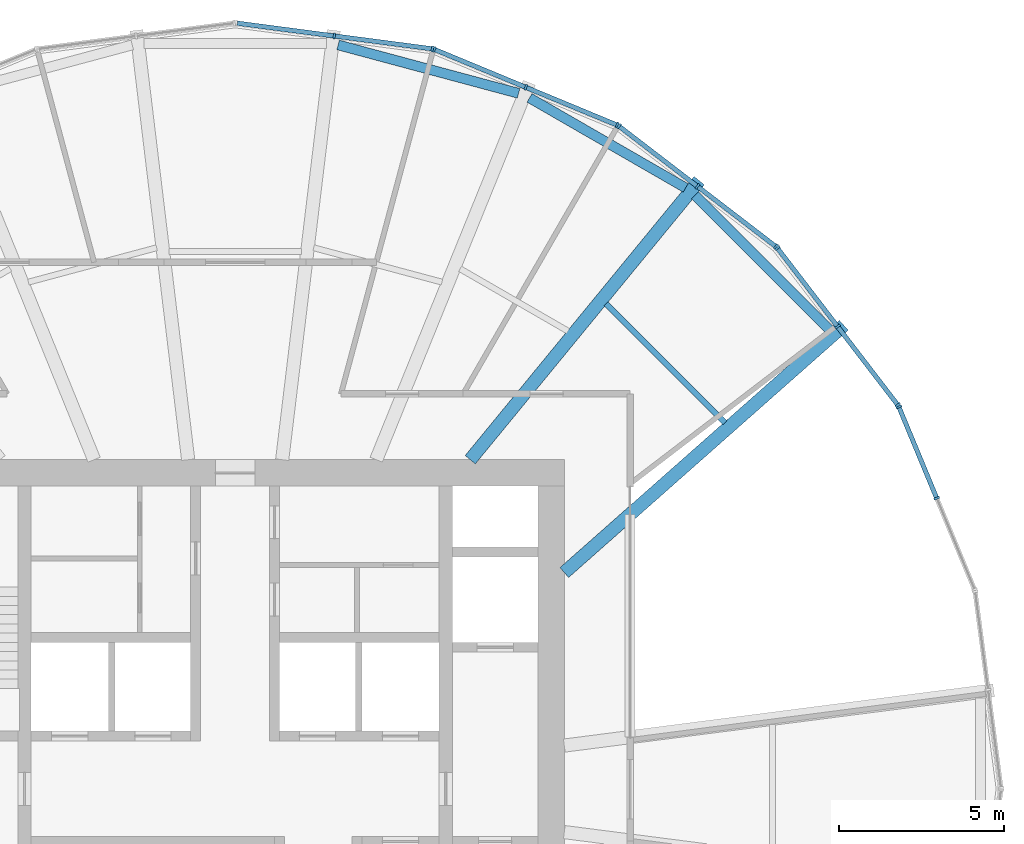
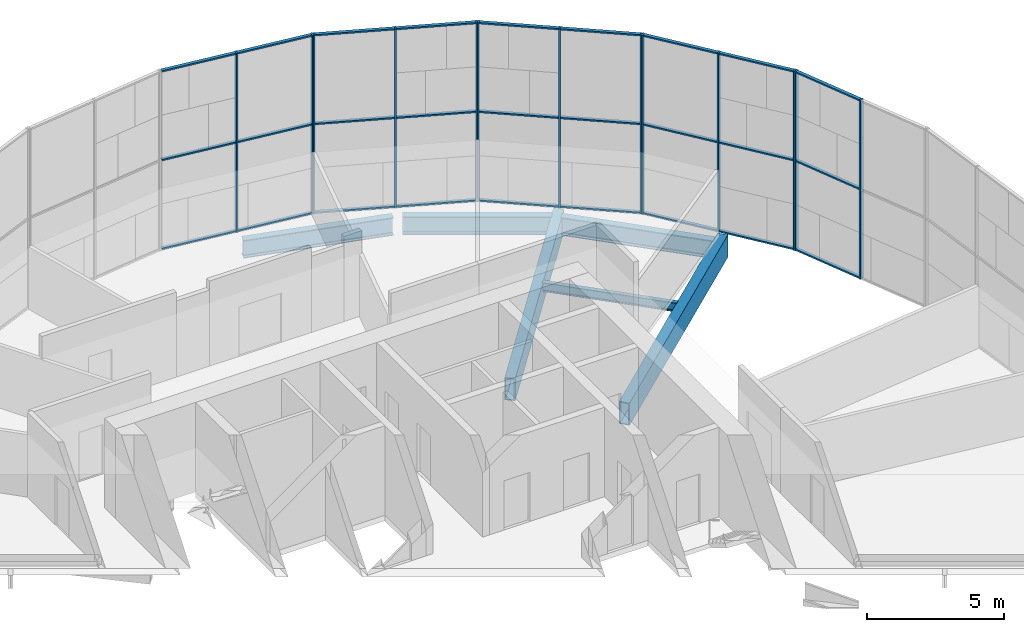
# One storey, part 7 of 18: 40 members, 6 beams, 5 elements without a shape of their own.
"""IFC4 building model written with IfcOpenShell, lengths in metres."""

from ifc_helpers import new_model, si_unit, direction, frame, origin, origin_2d, place, context, subcontext, project, spatial, rectangle, hollow_rectangle, i_section, extrude, material, material_profile, profile_set, type_object, element, aggregate, save


model = new_model("IFC4")

# Units and contexts
model_context = context("Model", 3, precision=1e-05, world=origin(), true_north=direction((0.0, 1.0)))
body_context = subcontext(model_context, "Body", "Model", "MODEL_VIEW")
ifc_project = project(units=[si_unit("LENGTHUNIT", "METRE"), si_unit("AREAUNIT", "SQUARE_METRE"), si_unit("VOLUMEUNIT", "CUBIC_METRE"), si_unit("PLANEANGLEUNIT", "RADIAN"), si_unit("MASSUNIT", "GRAM", prefix="KILO")], contexts=[model_context])

# Site, building, storey
site_placement = place(None, origin())
site = spatial("IfcSite", under=ifc_project, at=site_placement, CompositionType="ELEMENT")
building_placement = place(site_placement, origin())
building = spatial("IfcBuilding", under=site, at=building_placement, Name="Golbaran Civic Tower", CompositionType="ELEMENT")
storey_placement = place(building_placement, frame((0.0, 0.0, 45.0)))
storey = spatial("IfcBuildingStorey", under=building, at=storey_placement, Name="L10", CompositionType="ELEMENT", Elevation=45.0)

# Beams
ifc_material_1 = material(Name="Steel S355", Category="steel")
ifc_material_profile_1 = material_profile(ifc_material_1, i_section(OverallWidth=0.300048828125, OverallDepth=0.800048828125, WebThickness=0.017578125, FlangeThickness=0.032958984375, FilletRadius=0.030029296875, at=origin_2d()), Name="HEB 800")
ifc_profile_set_1 = profile_set([ifc_material_profile_1], Name="Steel S355")
beam_type_1 = type_object("IfcBeamType", Name="EDGE BEAM HEB 800", PredefinedType="BEAM", material=ifc_profile_set_1)
beam_1_placement = place(storey_placement, frame((18.063720703125, 13.94189453125, -0.60009765625), z_axis=(-0.706495106586, 0.707717927122, 0.0), x_axis=(-0.707717927122, -0.706495106586, 0.0)))
element("IfcBeam", 1, at=beam_1_placement, inside=storey, type_object=beam_type_1, Name="Edge beam 37.40 L10", PredefinedType="BEAM", context=body_context, shape_type="SweptSolid", body=[
    extrude(i_section(OverallWidth=0.300048828125, OverallDepth=0.800048828125, WebThickness=0.017578125, FlangeThickness=0.032958984375, FilletRadius=0.030029296875, at=origin_2d()), origin(), (0.0, 0.0, 1.0), 5.7900390625),
])
beam_2_placement = place(storey_placement, frame((13.687255859375, 18.2587890625, -0.60009765625), z_axis=(-0.866313230191, 0.499501138334, 0.0), x_axis=(-0.499501138334, -0.866313230191, 0.0)))
element("IfcBeam", 2, at=beam_2_placement, inside=storey, type_object=beam_type_1, Name="Edge beam 52.60 L10", PredefinedType="BEAM", context=body_context, shape_type="SweptSolid", body=[
    extrude(i_section(OverallWidth=0.300048828125, OverallDepth=0.800048828125, WebThickness=0.017578125, FlangeThickness=0.032958984375, FilletRadius=0.030029296875, at=origin_2d()), origin(), (0.0, 0.0, 1.0), 5.4755859375),
])
beam_3_placement = place(storey_placement, frame((8.61083984375, 21.131591796875, -0.60009765625), z_axis=(-0.965816844102, 0.259225430173, 0.0), x_axis=(-0.259225430173, -0.965816844102, 0.0)))
element("IfcBeam", 3, at=beam_3_placement, inside=storey, type_object=beam_type_1, Name="Edge beam 67.40 L10", PredefinedType="BEAM", context=body_context, shape_type="SweptSolid", body=[
    extrude(i_section(OverallWidth=0.300048828125, OverallDepth=0.800048828125, WebThickness=0.017578125, FlangeThickness=0.032958984375, FilletRadius=0.030029296875, at=origin_2d()), origin(), (0.0, 0.0, 1.0), 5.67724609375),
])
ifc_material_profile_2 = material_profile(ifc_material_1, i_section(OverallWidth=0.179931640625, OverallDepth=0.39990234375, WebThickness=0.008544921875, FlangeThickness=0.013427734375, FilletRadius=0.02099609375, at=origin_2d()), Name="IPE 400")
ifc_profile_set_2 = profile_set([ifc_material_profile_2], Name="Steel S355")
beam_type_2 = type_object("IfcBeamType", Name="FLOOR INFILL BEAM IPE 400", PredefinedType="BEAM", material=ifc_profile_set_2)
beam_4_placement = place(storey_placement, frame((14.87890625, 11.125732421875, -0.39990234375), z_axis=(-0.707130665491, 0.707082896075, 0.0), x_axis=(-0.707082896075, -0.707130665491, 0.0)))
element("IfcBeam", 4, at=beam_4_placement, inside=storey, type_object=beam_type_2, Name="Infill beam 45.00 L10", PredefinedType="BEAM", context=body_context, shape_type="SweptSolid", body=[
    extrude(i_section(OverallWidth=0.179931640625, OverallDepth=0.39990234375, WebThickness=0.008544921875, FlangeThickness=0.013427734375, FilletRadius=0.02099609375, at=origin_2d()), origin(), (0.0, 0.0, 1.0), 5.11083984375),
])

# Curtain wall, members
ifc_material_2 = material(Name="Aluminium and glass", Category="aluminium")
curtain_wall_type = type_object("IfcCurtainWallType", Name="INNER SKIN CURTAIN WALL", PredefinedType="NOTDEFINED", material=ifc_material_2)
curtain_wall_1_placement = place(storey_placement, origin())
curtain_wall_1 = element("IfcCurtainWall", 5, at=curtain_wall_1_placement, inside=storey, type_object=curtain_wall_type, Name="Inner skin L10 facet 2 CW1", ObjectType="INNER SKIN", PredefinedType="USERDEFINED")
ifc_material_3 = material(Name="Aluminium", Category="aluminium")
ifc_material_profile_3 = material_profile(ifc_material_3, rectangle(XDim=0.179931640625, YDim=0.06494140625, at=origin_2d()), Name="INNER SKIN CURTAIN WALL MULLION")
ifc_profile_set_3 = profile_set([ifc_material_profile_3], Name="Aluminium")
member_type_1 = type_object("IfcMemberType", Name="INNER SKIN CURTAIN WALL MULLION", PredefinedType="MULLION", material=ifc_profile_set_3)
member_1_placement = place(storey_placement, frame((21.315673828125, 8.829345703125, 0.0), z_axis=(0.0, 0.0, 1.0), x_axis=(-0.923879532451, -0.38268343251, 0.0)))
member_1 = element("IfcMember", 6, at=member_1_placement, type_object=member_type_1, Name="CW1 mullion 2", PredefinedType="MULLION", context=body_context, shape_type="SweptSolid", body=[
    extrude(rectangle(XDim=0.179931640625, YDim=0.06494140625, at=origin_2d()), origin(), (0.0, 0.0, 1.0), 8.0),
])
member_2_placement = place(storey_placement, frame((20.165771484375, 11.60546875, 0.0), z_axis=(0.0, 0.0, 1.0), x_axis=(-0.923879532451, -0.38268343251, 0.0)))
member_2 = element("IfcMember", 7, at=member_2_placement, type_object=member_type_1, Name="CW1 mullion 3", PredefinedType="MULLION", context=body_context, shape_type="SweptSolid", body=[
    extrude(rectangle(XDim=0.179931640625, YDim=0.06494140625, at=origin_2d()), origin(), (0.0, 0.0, 1.0), 8.0),
])

curtain_wall_2_placement = place(storey_placement, origin())
curtain_wall_2 = element("IfcCurtainWall", 8, at=curtain_wall_2_placement, inside=storey, type_object=curtain_wall_type, Name="Inner skin L10 facet 3 CW1", ObjectType="INNER SKIN", PredefinedType="USERDEFINED")
member_3_placement = place(storey_placement, frame((20.133544921875, 11.661376953125, 0.0), z_axis=(0.0, 0.0, 1.0), x_axis=(-0.793353340334, -0.608761428953, 0.0)))
member_3 = element("IfcMember", 9, at=member_3_placement, type_object=member_type_1, Name="CW1 mullion 1", PredefinedType="MULLION", context=body_context, shape_type="SweptSolid", body=[
    extrude(rectangle(XDim=0.179931640625, YDim=0.06494140625, at=origin_2d()), origin(), (0.0, 0.0, 1.0), 8.0),
])
member_4_placement = place(storey_placement, frame((18.30419921875, 14.04541015625, 0.0), z_axis=(0.0, 0.0, 1.0), x_axis=(-0.793353340334, -0.608761428953, 0.0)))
member_4 = element("IfcMember", 10, at=member_4_placement, type_object=member_type_1, Name="CW1 mullion 2", PredefinedType="MULLION", context=body_context, shape_type="SweptSolid", body=[
    extrude(rectangle(XDim=0.179931640625, YDim=0.06494140625, at=origin_2d()), origin(), (0.0, 0.0, 1.0), 8.0),
])
member_5_placement = place(storey_placement, frame((16.474853515625, 16.42919921875, 0.0), z_axis=(0.0, 0.0, 1.0), x_axis=(-0.793353340334, -0.608761428953, 0.0)))
member_5 = element("IfcMember", 11, at=member_5_placement, type_object=member_type_1, Name="CW1 mullion 3", PredefinedType="MULLION", context=body_context, shape_type="SweptSolid", body=[
    extrude(rectangle(XDim=0.179931640625, YDim=0.06494140625, at=origin_2d()), origin(), (0.0, 0.0, 1.0), 8.0),
])

curtain_wall_3_placement = place(storey_placement, origin())
curtain_wall_3 = element("IfcCurtainWall", 12, at=curtain_wall_3_placement, inside=storey, type_object=curtain_wall_type, Name="Inner skin L10 facet 4 CW1", ObjectType="INNER SKIN", PredefinedType="USERDEFINED")
member_6_placement = place(storey_placement, frame((16.42919921875, 16.474853515625, 0.0), z_axis=(0.0, 0.0, 1.0), x_axis=(-0.608761428953, -0.793353340334, 0.0)))
member_6 = element("IfcMember", 13, at=member_6_placement, type_object=member_type_1, Name="CW1 mullion 1", PredefinedType="MULLION", context=body_context, shape_type="SweptSolid", body=[
    extrude(rectangle(XDim=0.179931640625, YDim=0.06494140625, at=origin_2d()), origin(), (0.0, 0.0, 1.0), 8.0),
])
member_7_placement = place(storey_placement, frame((14.04541015625, 18.30419921875, 0.0), z_axis=(0.0, 0.0, 1.0), x_axis=(-0.608761428953, -0.793353340334, 0.0)))
member_7 = element("IfcMember", 14, at=member_7_placement, type_object=member_type_1, Name="CW1 mullion 2", PredefinedType="MULLION", context=body_context, shape_type="SweptSolid", body=[
    extrude(rectangle(XDim=0.179931640625, YDim=0.06494140625, at=origin_2d()), origin(), (0.0, 0.0, 1.0), 8.0),
])
member_8_placement = place(storey_placement, frame((11.661376953125, 20.133544921875, 0.0), z_axis=(0.0, 0.0, 1.0), x_axis=(-0.608761428953, -0.793353340334, 0.0)))
member_8 = element("IfcMember", 15, at=member_8_placement, type_object=member_type_1, Name="CW1 mullion 3", PredefinedType="MULLION", context=body_context, shape_type="SweptSolid", body=[
    extrude(rectangle(XDim=0.179931640625, YDim=0.06494140625, at=origin_2d()), origin(), (0.0, 0.0, 1.0), 8.0),
])

curtain_wall_4_placement = place(storey_placement, origin())
curtain_wall_4 = element("IfcCurtainWall", 16, at=curtain_wall_4_placement, inside=storey, type_object=curtain_wall_type, Name="Inner skin L10 facet 5 CW1", ObjectType="INNER SKIN", PredefinedType="USERDEFINED")
member_9_placement = place(storey_placement, frame((11.60546875, 20.165771484375, 0.0), z_axis=(0.0, 0.0, 1.0), x_axis=(-0.38268343251, -0.923879532451, 0.0)))
member_9 = element("IfcMember", 17, at=member_9_placement, type_object=member_type_1, Name="CW1 mullion 1", PredefinedType="MULLION", context=body_context, shape_type="SweptSolid", body=[
    extrude(rectangle(XDim=0.179931640625, YDim=0.06494140625, at=origin_2d()), origin(), (0.0, 0.0, 1.0), 8.0),
])
member_10_placement = place(storey_placement, frame((8.829345703125, 21.315673828125, 0.0), z_axis=(0.0, 0.0, 1.0), x_axis=(-0.38268343251, -0.923879532451, 0.0)))
member_10 = element("IfcMember", 18, at=member_10_placement, type_object=member_type_1, Name="CW1 mullion 2", PredefinedType="MULLION", context=body_context, shape_type="SweptSolid", body=[
    extrude(rectangle(XDim=0.179931640625, YDim=0.06494140625, at=origin_2d()), origin(), (0.0, 0.0, 1.0), 8.0),
])
member_11_placement = place(storey_placement, frame((6.052978515625, 22.465576171875, 0.0), z_axis=(0.0, 0.0, 1.0), x_axis=(-0.38268343251, -0.923879532451, 0.0)))
member_11 = element("IfcMember", 19, at=member_11_placement, type_object=member_type_1, Name="CW1 mullion 3", PredefinedType="MULLION", context=body_context, shape_type="SweptSolid", body=[
    extrude(rectangle(XDim=0.179931640625, YDim=0.06494140625, at=origin_2d()), origin(), (0.0, 0.0, 1.0), 8.0),
])

curtain_wall_5_placement = place(storey_placement, origin())
curtain_wall_5 = element("IfcCurtainWall", 20, at=curtain_wall_5_placement, inside=storey, type_object=curtain_wall_type, Name="Inner skin L10 facet 6 CW1", ObjectType="INNER SKIN", PredefinedType="USERDEFINED")
member_12_placement = place(storey_placement, frame((5.99072265625, 22.482421875, 0.0), z_axis=(0.0, 0.0, 1.0), x_axis=(-0.130526192134, -0.991444861385, 0.0)))
member_12 = element("IfcMember", 21, at=member_12_placement, type_object=member_type_1, Name="CW1 mullion 1", PredefinedType="MULLION", context=body_context, shape_type="SweptSolid", body=[
    extrude(rectangle(XDim=0.179931640625, YDim=0.06494140625, at=origin_2d()), origin(), (0.0, 0.0, 1.0), 8.0),
])
member_13_placement = place(storey_placement, frame((3.011474609375, 22.87451171875, 0.0), z_axis=(0.0, 0.0, 1.0), x_axis=(-0.130526192134, -0.991444861385, 0.0)))
member_13 = element("IfcMember", 22, at=member_13_placement, type_object=member_type_1, Name="CW1 mullion 2", PredefinedType="MULLION", context=body_context, shape_type="SweptSolid", body=[
    extrude(rectangle(XDim=0.179931640625, YDim=0.06494140625, at=origin_2d()), origin(), (0.0, 0.0, 1.0), 8.0),
])

# Member
ifc_material_profile_4 = material_profile(ifc_material_3, rectangle(XDim=0.139892578125, YDim=0.06494140625, at=origin_2d()), Name="INNER SKIN CURTAIN WALL TRANSOM")
ifc_profile_set_4 = profile_set([ifc_material_profile_4], Name="Aluminium")
member_type_2 = type_object("IfcMemberType", Name="INNER SKIN CURTAIN WALL TRANSOM", PredefinedType="USERDEFINED", material=ifc_profile_set_4)
member_14_placement = place(storey_placement, frame((21.30322265625, 8.859375, 0.032470703125), z_axis=(-0.38267450938, 0.923883228482, 0.0), x_axis=(-0.923883228482, -0.38267450938, 0.0)))
member_14 = element("IfcMember", 23, at=member_14_placement, type_object=member_type_2, Name="CW1 transom 2.1", ObjectType="TRANSOM", PredefinedType="USERDEFINED", context=body_context, shape_type="SweptSolid", body=[
    extrude(rectangle(XDim=0.139892578125, YDim=0.06494140625, at=origin_2d()), origin(), (0.0, 0.0, 1.0), 2.93994140625),
])

member_15_placement = place(storey_placement, frame((21.30322265625, 8.859375, 4.0), z_axis=(-0.38267450938, 0.923883228482, 0.0), x_axis=(-0.923883228482, -0.38267450938, 0.0)))
member_15 = element("IfcMember", 24, at=member_15_placement, type_object=member_type_2, Name="CW1 transom 2.2", ObjectType="TRANSOM", PredefinedType="USERDEFINED", context=body_context, shape_type="SweptSolid", body=[
    extrude(rectangle(XDim=0.139892578125, YDim=0.06494140625, at=origin_2d()), origin(), (0.0, 0.0, 1.0), 2.93994140625),
])

member_16_placement = place(storey_placement, frame((21.30322265625, 8.859375, 7.967529296875), z_axis=(-0.38267450938, 0.923883228482, 0.0), x_axis=(-0.923883228482, -0.38267450938, 0.0)))
member_16 = element("IfcMember", 25, at=member_16_placement, type_object=member_type_2, Name="CW1 transom 2.3", ObjectType="TRANSOM", PredefinedType="USERDEFINED", context=body_context, shape_type="SweptSolid", body=[
    extrude(rectangle(XDim=0.139892578125, YDim=0.06494140625, at=origin_2d()), origin(), (0.0, 0.0, 1.0), 2.93994140625),
])

aggregate(curtain_wall_1, [member_1, member_2, member_14, member_15, member_16])

member_17_placement = place(storey_placement, frame((20.11376953125, 11.68701171875, 0.032470703125), z_axis=(-0.608759231597, 0.793355026419, 0.0), x_axis=(-0.793355026419, -0.608759231597, 0.0)))
member_17 = element("IfcMember", 26, at=member_17_placement, type_object=member_type_2, Name="CW1 transom 1.1", ObjectType="TRANSOM", PredefinedType="USERDEFINED", context=body_context, shape_type="SweptSolid", body=[
    extrude(rectangle(XDim=0.139892578125, YDim=0.06494140625, at=origin_2d()), origin(), (0.0, 0.0, 1.0), 2.940185546875),
])

member_18_placement = place(storey_placement, frame((20.11376953125, 11.68701171875, 4.0), z_axis=(-0.608759231597, 0.793355026419, 0.0), x_axis=(-0.793355026419, -0.608759231597, 0.0)))
member_18 = element("IfcMember", 27, at=member_18_placement, type_object=member_type_2, Name="CW1 transom 1.2", ObjectType="TRANSOM", PredefinedType="USERDEFINED", context=body_context, shape_type="SweptSolid", body=[
    extrude(rectangle(XDim=0.139892578125, YDim=0.06494140625, at=origin_2d()), origin(), (0.0, 0.0, 1.0), 2.940185546875),
])

member_19_placement = place(storey_placement, frame((20.11376953125, 11.68701171875, 7.967529296875), z_axis=(-0.608759231597, 0.793355026419, 0.0), x_axis=(-0.793355026419, -0.608759231597, 0.0)))
member_19 = element("IfcMember", 28, at=member_19_placement, type_object=member_type_2, Name="CW1 transom 1.3", ObjectType="TRANSOM", PredefinedType="USERDEFINED", context=body_context, shape_type="SweptSolid", body=[
    extrude(rectangle(XDim=0.139892578125, YDim=0.06494140625, at=origin_2d()), origin(), (0.0, 0.0, 1.0), 2.940185546875),
])

member_20_placement = place(storey_placement, frame((18.284423828125, 14.071044921875, 0.032470703125), z_axis=(-0.608759231597, 0.793355026419, 0.0), x_axis=(-0.793355026419, -0.608759231597, 0.0)))
member_20 = element("IfcMember", 29, at=member_20_placement, type_object=member_type_2, Name="CW1 transom 2.1", ObjectType="TRANSOM", PredefinedType="USERDEFINED", context=body_context, shape_type="SweptSolid", body=[
    extrude(rectangle(XDim=0.139892578125, YDim=0.06494140625, at=origin_2d()), origin(), (0.0, 0.0, 1.0), 2.940185546875),
])

member_21_placement = place(storey_placement, frame((18.284423828125, 14.071044921875, 4.0), z_axis=(-0.608759231597, 0.793355026419, 0.0), x_axis=(-0.793355026419, -0.608759231597, 0.0)))
member_21 = element("IfcMember", 30, at=member_21_placement, type_object=member_type_2, Name="CW1 transom 2.2", ObjectType="TRANSOM", PredefinedType="USERDEFINED", context=body_context, shape_type="SweptSolid", body=[
    extrude(rectangle(XDim=0.139892578125, YDim=0.06494140625, at=origin_2d()), origin(), (0.0, 0.0, 1.0), 2.940185546875),
])

member_22_placement = place(storey_placement, frame((18.284423828125, 14.071044921875, 7.967529296875), z_axis=(-0.608759231597, 0.793355026419, 0.0), x_axis=(-0.793355026419, -0.608759231597, 0.0)))
member_22 = element("IfcMember", 31, at=member_22_placement, type_object=member_type_2, Name="CW1 transom 2.3", ObjectType="TRANSOM", PredefinedType="USERDEFINED", context=body_context, shape_type="SweptSolid", body=[
    extrude(rectangle(XDim=0.139892578125, YDim=0.06494140625, at=origin_2d()), origin(), (0.0, 0.0, 1.0), 2.940185546875),
])

aggregate(curtain_wall_2, [member_3, member_4, member_5, member_17, member_18, member_19, member_20, member_21, member_22])

member_23_placement = place(storey_placement, frame((16.403564453125, 16.49462890625, 0.032470703125), z_axis=(-0.793355026419, 0.608759231597, 0.0), x_axis=(-0.608759231597, -0.793355026419, 0.0)))
member_23 = element("IfcMember", 32, at=member_23_placement, type_object=member_type_2, Name="CW1 transom 1.1", ObjectType="TRANSOM", PredefinedType="USERDEFINED", context=body_context, shape_type="SweptSolid", body=[
    extrude(rectangle(XDim=0.139892578125, YDim=0.06494140625, at=origin_2d()), origin(), (0.0, 0.0, 1.0), 2.940185546875),
])

member_24_placement = place(storey_placement, frame((16.403564453125, 16.49462890625, 4.0), z_axis=(-0.793355026419, 0.608759231597, 0.0), x_axis=(-0.608759231597, -0.793355026419, 0.0)))
member_24 = element("IfcMember", 33, at=member_24_placement, type_object=member_type_2, Name="CW1 transom 1.2", ObjectType="TRANSOM", PredefinedType="USERDEFINED", context=body_context, shape_type="SweptSolid", body=[
    extrude(rectangle(XDim=0.139892578125, YDim=0.06494140625, at=origin_2d()), origin(), (0.0, 0.0, 1.0), 2.940185546875),
])

member_25_placement = place(storey_placement, frame((16.403564453125, 16.49462890625, 7.967529296875), z_axis=(-0.793355026419, 0.608759231597, 0.0), x_axis=(-0.608759231597, -0.793355026419, 0.0)))
member_25 = element("IfcMember", 34, at=member_25_placement, type_object=member_type_2, Name="CW1 transom 1.3", ObjectType="TRANSOM", PredefinedType="USERDEFINED", context=body_context, shape_type="SweptSolid", body=[
    extrude(rectangle(XDim=0.139892578125, YDim=0.06494140625, at=origin_2d()), origin(), (0.0, 0.0, 1.0), 2.940185546875),
])

member_26_placement = place(storey_placement, frame((14.01953125, 18.323974609375, 0.032470703125), z_axis=(-0.793355026419, 0.608759231597, 0.0), x_axis=(-0.608759231597, -0.793355026419, 0.0)))
member_26 = element("IfcMember", 35, at=member_26_placement, type_object=member_type_2, Name="CW1 transom 2.1", ObjectType="TRANSOM", PredefinedType="USERDEFINED", context=body_context, shape_type="SweptSolid", body=[
    extrude(rectangle(XDim=0.139892578125, YDim=0.06494140625, at=origin_2d()), origin(), (0.0, 0.0, 1.0), 2.940185546875),
])

member_27_placement = place(storey_placement, frame((14.01953125, 18.323974609375, 4.0), z_axis=(-0.793355026419, 0.608759231597, 0.0), x_axis=(-0.608759231597, -0.793355026419, 0.0)))
member_27 = element("IfcMember", 36, at=member_27_placement, type_object=member_type_2, Name="CW1 transom 2.2", ObjectType="TRANSOM", PredefinedType="USERDEFINED", context=body_context, shape_type="SweptSolid", body=[
    extrude(rectangle(XDim=0.139892578125, YDim=0.06494140625, at=origin_2d()), origin(), (0.0, 0.0, 1.0), 2.940185546875),
])

member_28_placement = place(storey_placement, frame((14.01953125, 18.323974609375, 7.967529296875), z_axis=(-0.793355026419, 0.608759231597, 0.0), x_axis=(-0.608759231597, -0.793355026419, 0.0)))
member_28 = element("IfcMember", 37, at=member_28_placement, type_object=member_type_2, Name="CW1 transom 2.3", ObjectType="TRANSOM", PredefinedType="USERDEFINED", context=body_context, shape_type="SweptSolid", body=[
    extrude(rectangle(XDim=0.139892578125, YDim=0.06494140625, at=origin_2d()), origin(), (0.0, 0.0, 1.0), 2.940185546875),
])

aggregate(curtain_wall_3, [member_6, member_7, member_8, member_23, member_24, member_25, member_26, member_27, member_28])

member_29_placement = place(storey_placement, frame((11.575439453125, 20.17822265625, 0.032470703125), z_axis=(-0.923883228482, 0.38267450938, 0.0), x_axis=(-0.38267450938, -0.923883228482, 0.0)))
member_29 = element("IfcMember", 38, at=member_29_placement, type_object=member_type_2, Name="CW1 transom 1.1", ObjectType="TRANSOM", PredefinedType="USERDEFINED", context=body_context, shape_type="SweptSolid", body=[
    extrude(rectangle(XDim=0.139892578125, YDim=0.06494140625, at=origin_2d()), origin(), (0.0, 0.0, 1.0), 2.93994140625),
])

member_30_placement = place(storey_placement, frame((11.575439453125, 20.17822265625, 4.0), z_axis=(-0.923883228482, 0.38267450938, 0.0), x_axis=(-0.38267450938, -0.923883228482, 0.0)))
member_30 = element("IfcMember", 39, at=member_30_placement, type_object=member_type_2, Name="CW1 transom 1.2", ObjectType="TRANSOM", PredefinedType="USERDEFINED", context=body_context, shape_type="SweptSolid", body=[
    extrude(rectangle(XDim=0.139892578125, YDim=0.06494140625, at=origin_2d()), origin(), (0.0, 0.0, 1.0), 2.93994140625),
])

member_31_placement = place(storey_placement, frame((11.575439453125, 20.17822265625, 7.967529296875), z_axis=(-0.923883228482, 0.38267450938, 0.0), x_axis=(-0.38267450938, -0.923883228482, 0.0)))
member_31 = element("IfcMember", 40, at=member_31_placement, type_object=member_type_2, Name="CW1 transom 1.3", ObjectType="TRANSOM", PredefinedType="USERDEFINED", context=body_context, shape_type="SweptSolid", body=[
    extrude(rectangle(XDim=0.139892578125, YDim=0.06494140625, at=origin_2d()), origin(), (0.0, 0.0, 1.0), 2.93994140625),
])

member_32_placement = place(storey_placement, frame((8.79931640625, 21.328125, 0.032470703125), z_axis=(-0.923895388275, 0.382645150923, 0.0), x_axis=(-0.382645150923, -0.923895388275, 0.0)))
member_32 = element("IfcMember", 41, at=member_32_placement, type_object=member_type_2, Name="CW1 transom 2.1", ObjectType="TRANSOM", PredefinedType="USERDEFINED", context=body_context, shape_type="SweptSolid", body=[
    extrude(rectangle(XDim=0.139892578125, YDim=0.06494140625, at=origin_2d()), origin(), (0.0, 0.0, 1.0), 2.93994140625),
])

member_33_placement = place(storey_placement, frame((8.79931640625, 21.328125, 4.0), z_axis=(-0.923895388275, 0.382645150923, 0.0), x_axis=(-0.382645150923, -0.923895388275, 0.0)))
member_33 = element("IfcMember", 42, at=member_33_placement, type_object=member_type_2, Name="CW1 transom 2.2", ObjectType="TRANSOM", PredefinedType="USERDEFINED", context=body_context, shape_type="SweptSolid", body=[
    extrude(rectangle(XDim=0.139892578125, YDim=0.06494140625, at=origin_2d()), origin(), (0.0, 0.0, 1.0), 2.93994140625),
])

member_34_placement = place(storey_placement, frame((8.79931640625, 21.328125, 7.967529296875), z_axis=(-0.923895388275, 0.382645150923, 0.0), x_axis=(-0.382645150923, -0.923895388275, 0.0)))
member_34 = element("IfcMember", 43, at=member_34_placement, type_object=member_type_2, Name="CW1 transom 2.3", ObjectType="TRANSOM", PredefinedType="USERDEFINED", context=body_context, shape_type="SweptSolid", body=[
    extrude(rectangle(XDim=0.139892578125, YDim=0.06494140625, at=origin_2d()), origin(), (0.0, 0.0, 1.0), 2.93994140625),
])

aggregate(curtain_wall_4, [member_9, member_10, member_11, member_29, member_30, member_31, member_32, member_33, member_34])

member_35_placement = place(storey_placement, frame((5.95849609375, 22.486572265625, 0.032470703125), z_axis=(-0.99144270301, 0.130542585571, 0.0), x_axis=(-0.130542585571, -0.99144270301, 0.0)))
member_35 = element("IfcMember", 44, at=member_35_placement, type_object=member_type_2, Name="CW1 transom 1.1", ObjectType="TRANSOM", PredefinedType="USERDEFINED", context=body_context, shape_type="SweptSolid", body=[
    extrude(rectangle(XDim=0.139892578125, YDim=0.06494140625, at=origin_2d()), origin(), (0.0, 0.0, 1.0), 2.93994140625),
])

member_36_placement = place(storey_placement, frame((5.95849609375, 22.486572265625, 4.0), z_axis=(-0.99144270301, 0.130542585571, 0.0), x_axis=(-0.130542585571, -0.99144270301, 0.0)))
member_36 = element("IfcMember", 45, at=member_36_placement, type_object=member_type_2, Name="CW1 transom 1.2", ObjectType="TRANSOM", PredefinedType="USERDEFINED", context=body_context, shape_type="SweptSolid", body=[
    extrude(rectangle(XDim=0.139892578125, YDim=0.06494140625, at=origin_2d()), origin(), (0.0, 0.0, 1.0), 2.93994140625),
])

member_37_placement = place(storey_placement, frame((5.95849609375, 22.486572265625, 7.967529296875), z_axis=(-0.99144270301, 0.130542585571, 0.0), x_axis=(-0.130542585571, -0.99144270301, 0.0)))
member_37 = element("IfcMember", 46, at=member_37_placement, type_object=member_type_2, Name="CW1 transom 1.3", ObjectType="TRANSOM", PredefinedType="USERDEFINED", context=body_context, shape_type="SweptSolid", body=[
    extrude(rectangle(XDim=0.139892578125, YDim=0.06494140625, at=origin_2d()), origin(), (0.0, 0.0, 1.0), 2.93994140625),
])

member_38_placement = place(storey_placement, frame((2.979248046875, 22.878662109375, 0.032470703125), z_axis=(-0.99144270301, 0.130542585571, 0.0), x_axis=(-0.130542585571, -0.99144270301, 0.0)))
member_38 = element("IfcMember", 47, at=member_38_placement, type_object=member_type_2, Name="CW1 transom 2.1", ObjectType="TRANSOM", PredefinedType="USERDEFINED", context=body_context, shape_type="SweptSolid", body=[
    extrude(rectangle(XDim=0.139892578125, YDim=0.06494140625, at=origin_2d()), origin(), (0.0, 0.0, 1.0), 2.93994140625),
])

member_39_placement = place(storey_placement, frame((2.979248046875, 22.878662109375, 4.0), z_axis=(-0.99144270301, 0.130542585571, 0.0), x_axis=(-0.130542585571, -0.99144270301, 0.0)))
member_39 = element("IfcMember", 48, at=member_39_placement, type_object=member_type_2, Name="CW1 transom 2.2", ObjectType="TRANSOM", PredefinedType="USERDEFINED", context=body_context, shape_type="SweptSolid", body=[
    extrude(rectangle(XDim=0.139892578125, YDim=0.06494140625, at=origin_2d()), origin(), (0.0, 0.0, 1.0), 2.93994140625),
])

member_40_placement = place(storey_placement, frame((2.979248046875, 22.878662109375, 7.967529296875), z_axis=(-0.99144270301, 0.130542585571, 0.0), x_axis=(-0.130542585571, -0.99144270301, 0.0)))
member_40 = element("IfcMember", 49, at=member_40_placement, type_object=member_type_2, Name="CW1 transom 2.3", ObjectType="TRANSOM", PredefinedType="USERDEFINED", context=body_context, shape_type="SweptSolid", body=[
    extrude(rectangle(XDim=0.139892578125, YDim=0.06494140625, at=origin_2d()), origin(), (0.0, 0.0, 1.0), 2.93994140625),
])

aggregate(curtain_wall_5, [member_12, member_13, member_35, member_36, member_37, member_38, member_39, member_40])

# Beams
ifc_material_profile_5 = material_profile(ifc_material_1, hollow_rectangle(XDim=0.39990234375, YDim=1.0, WallThickness=0.0400390625, at=origin_2d()), Name="BOX 1000x400x40")
ifc_profile_set_5 = profile_set([ifc_material_profile_5], Name="Steel S355")
beam_type_3 = type_object("IfcBeamType", Name="RADIAL FLOOR BEAM BOX 1000x400x40", PredefinedType="BEAM", material=ifc_profile_set_5)
beam_5_placement = place(storey_placement, frame((10.0, 6.571533203125, -0.7099609375), z_axis=(0.749149421547, 0.662401044833, 0.0), x_axis=(-0.662401044833, 0.749149421547, 0.0)))
element("IfcBeam", 50, at=beam_5_placement, inside=storey, type_object=beam_type_3, Name="Radial beam 37.40 L10", PredefinedType="BEAM", context=body_context, shape_type="SweptSolid", body=[
    extrude(hollow_rectangle(XDim=0.39990234375, YDim=1.0, WallThickness=0.0400390625, at=origin_2d()), origin(), (0.0, 0.0, 1.0), 11.339111328125),
])
beam_6_placement = place(storey_placement, frame((7.142822265625, 10.0, -0.7099609375), z_axis=(0.634368120795, 0.77303110372, 0.0), x_axis=(-0.77303110372, 0.634368120795, 0.0)))
element("IfcBeam", 51, at=beam_6_placement, inside=storey, type_object=beam_type_3, Name="Radial beam 52.60 L10", PredefinedType="BEAM", context=body_context, shape_type="SweptSolid", body=[
    extrude(hollow_rectangle(XDim=0.39990234375, YDim=1.0, WallThickness=0.0400390625, at=origin_2d()), origin(), (0.0, 0.0, 1.0), 10.96728515625),
])

save(model, "model.ifc")
